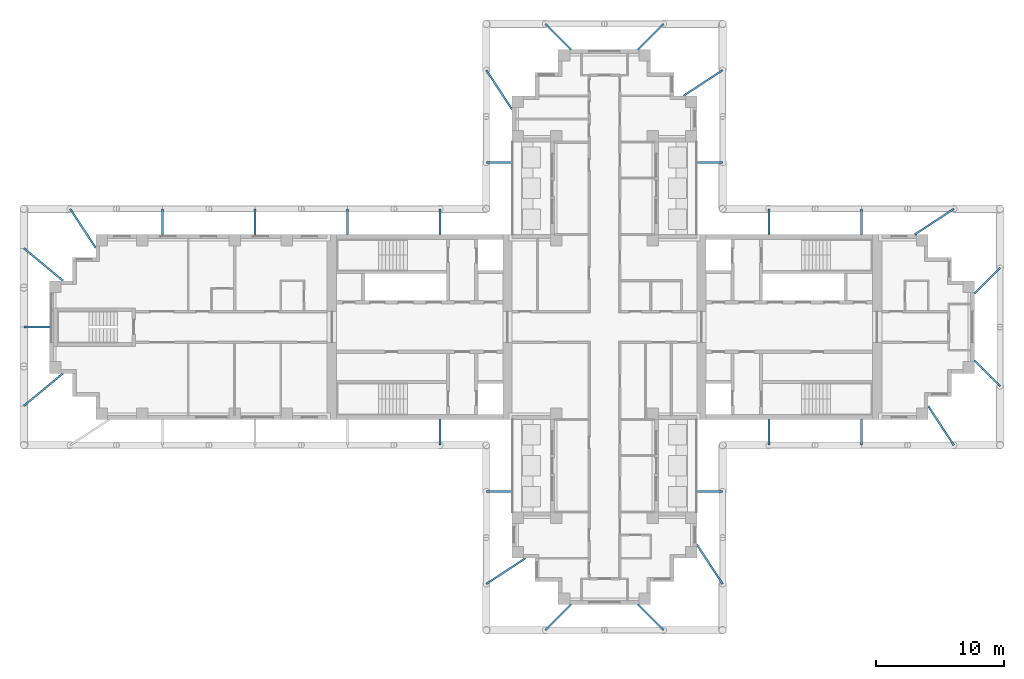
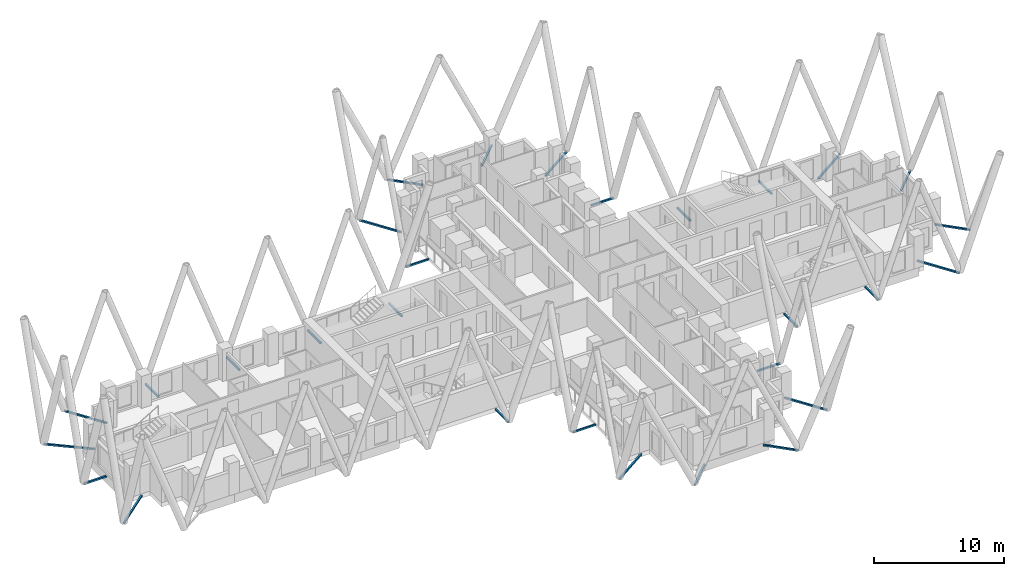
# One storey, part 10 of 12: 29 discrete accessories.
"""IFC4 building model written with IfcOpenShell, lengths in metres."""

from ifc_helpers import new_model, si_unit, direction, frame, origin, origin_2d, place, context, subcontext, project, spatial, hollow_rectangle, extrude, material, element, save


model = new_model("IFC4")

# Units and contexts
model_context = context("Model", 3, precision=1e-05, world=origin(), true_north=direction((0.0, 1.0)))
body_context = subcontext(model_context, "Body", "Model", "MODEL_VIEW")
ifc_project = project(units=[si_unit("LENGTHUNIT", "METRE"), si_unit("AREAUNIT", "SQUARE_METRE"), si_unit("VOLUMEUNIT", "CUBIC_METRE"), si_unit("PLANEANGLEUNIT", "RADIAN"), si_unit("MASSUNIT", "GRAM", prefix="KILO")], contexts=[model_context])

# Site, building, storey
site_placement = place(None, origin())
site = spatial("IfcSite", under=ifc_project, at=site_placement, CompositionType="ELEMENT")
building_placement = place(site_placement, origin())
building = spatial("IfcBuilding", under=site, at=building_placement, Name="Fustian Cross Tower", CompositionType="ELEMENT")
storey_placement = place(building_placement, frame((0.0, 0.0, 188.699951171875)))
storey = spatial("IfcBuildingStorey", under=building, at=storey_placement, Name="L59", CompositionType="ELEMENT", Elevation=188.699951171875)

# Discrete accessories
ifc_material = material(Name="Steel S355", Category="steel")
discrete_accessory_1_placement = place(storey_placement, frame((30.800048828125, 4.60009765625, -0.14990234375), z_axis=(-0.707106781187, -0.707106781187, 0.0), x_axis=(0.707106781187, -0.707106781187, 0.0)))
element("IfcDiscreteAccessory", 1, at=discrete_accessory_1_placement, inside=storey, material=ifc_material, Name="Diagrid node bracket L59-01", PredefinedType="BRACKET", context=body_context, shape_type="SweptSolid", body=[
    extrude(hollow_rectangle(XDim=0.14990234375, YDim=0.14990234375, WallThickness=0.010009765625, at=origin_2d()), origin(), (0.0, 0.0, 1.0), 2.828369140625),
])
discrete_accessory_2_placement = place(storey_placement, frame((27.199951171875, 9.199951171875, -0.14990234375), z_axis=(-0.836248392914, -0.548350823241, 0.0), x_axis=(0.548350823241, -0.836248392914, 0.0)))
element("IfcDiscreteAccessory", 2, at=discrete_accessory_2_placement, inside=storey, material=ifc_material, Name="Diagrid node bracket L59-02", PredefinedType="BRACKET", context=body_context, shape_type="SweptSolid", body=[
    extrude(hollow_rectangle(XDim=0.14990234375, YDim=0.14990234375, WallThickness=0.010009765625, at=origin_2d()), origin(), (0.0, 0.0, 1.0), 3.647216796875),
])
for number, where, z_axis, x_axis, name in (
    (3, (20.0, 9.199951171875, -0.14990234375), (0.0, -1.0, 0.0), (1.0, 0.0, 0.0), "Diagrid node bracket L59-03"),
    (4, (12.800048828125, 9.199951171875, -0.14990234375), (0.0, -1.0, 0.0), (1.0, 0.0, 0.0), "Diagrid node bracket L59-04"),
    (5, (9.199951171875, 12.800048828125, -0.14990234375), (-1.0, 0.0, 0.0), (0.0, -1.0, 0.0), "Diagrid node bracket L59-05"),
):
    element("IfcDiscreteAccessory", number, at=place(storey_placement, frame(where, z_axis=z_axis, x_axis=x_axis)), inside=storey, material=ifc_material, Name=name, PredefinedType="BRACKET", context=body_context, shape_type="SweptSolid", body=[
        extrude(hollow_rectangle(XDim=0.14990234375, YDim=0.14990234375, WallThickness=0.010009765625, at=origin_2d()), origin(), (0.0, 0.0, 1.0), 2.0),
    ])
discrete_accessory_3_placement = place(storey_placement, frame((9.199951171875, 20.0, -0.14990234375), z_axis=(-0.836248392914, -0.548350823241, 0.0), x_axis=(0.548350823241, -0.836248392914, 0.0)))
element("IfcDiscreteAccessory", 6, at=discrete_accessory_3_placement, inside=storey, material=ifc_material, Name="Diagrid node bracket L59-06", PredefinedType="BRACKET", context=body_context, shape_type="SweptSolid", body=[
    extrude(hollow_rectangle(XDim=0.14990234375, YDim=0.14990234375, WallThickness=0.010009765625, at=origin_2d()), origin(), (0.0, 0.0, 1.0), 3.647216796875),
])
for number, where, z_axis, x_axis, name in (
    (7, (4.60009765625, 23.60009765625, -0.14990234375), (-0.707106781187, -0.707106781187, 0.0), (0.707106781187, -0.707106781187, 0.0), "Diagrid node bracket L59-07"),
    (8, (-4.60009765625, 23.60009765625, -0.14990234375), (0.707106781187, -0.707106781187, 0.0), (0.707106781187, 0.707106781187, 0.0), "Diagrid node bracket L59-08"),
):
    element("IfcDiscreteAccessory", number, at=place(storey_placement, frame(where, z_axis=z_axis, x_axis=x_axis)), inside=storey, material=ifc_material, Name=name, PredefinedType="BRACKET", context=body_context, shape_type="SweptSolid", body=[
        extrude(hollow_rectangle(XDim=0.14990234375, YDim=0.14990234375, WallThickness=0.010009765625, at=origin_2d()), origin(), (0.0, 0.0, 1.0), 2.828369140625),
    ])
discrete_accessory_4_placement = place(storey_placement, frame((-9.199951171875, 20.0, -0.14990234375), z_axis=(0.548350823241, -0.836248392914, 0.0), x_axis=(0.836248392914, 0.548350823241, 0.0)))
element("IfcDiscreteAccessory", 9, at=discrete_accessory_4_placement, inside=storey, material=ifc_material, Name="Diagrid node bracket L59-09", PredefinedType="BRACKET", context=body_context, shape_type="SweptSolid", body=[
    extrude(hollow_rectangle(XDim=0.14990234375, YDim=0.14990234375, WallThickness=0.010009765625, at=origin_2d()), origin(), (0.0, 0.0, 1.0), 3.647216796875),
])
for number, where, z_axis, x_axis, name in (
    (10, (-9.199951171875, 12.800048828125, -0.14990234375), (1.0, 0.0, 0.0), (0.0, 1.0, 0.0), "Diagrid node bracket L59-10"),
    (11, (-12.800048828125, 9.199951171875, -0.14990234375), (0.0, -1.0, 0.0), (1.0, 0.0, 0.0), "Diagrid node bracket L59-11"),
    (12, (-20.0, 9.199951171875, -0.14990234375), (0.0, -1.0, 0.0), (1.0, 0.0, 0.0), "Diagrid node bracket L59-12"),
    (13, (-27.199951171875, 9.199951171875, -0.14990234375), (0.0, -1.0, 0.0), (1.0, 0.0, 0.0), "Diagrid node bracket L59-13"),
    (14, (-34.39990234375, 9.199951171875, -0.14990234375), (0.0, -1.0, 0.0), (1.0, 0.0, 0.0), "Diagrid node bracket L59-14"),
):
    element("IfcDiscreteAccessory", number, at=place(storey_placement, frame(where, z_axis=z_axis, x_axis=x_axis)), inside=storey, material=ifc_material, Name=name, PredefinedType="BRACKET", context=body_context, shape_type="SweptSolid", body=[
        extrude(hollow_rectangle(XDim=0.14990234375, YDim=0.14990234375, WallThickness=0.010009765625, at=origin_2d()), origin(), (0.0, 0.0, 1.0), 2.0),
    ])
discrete_accessory_5_placement = place(storey_placement, frame((-41.60009765625, 9.199951171875, -0.14990234375), z_axis=(0.548350823241, -0.836248392914, 0.0), x_axis=(0.836248392914, 0.548350823241, 0.0)))
element("IfcDiscreteAccessory", 15, at=discrete_accessory_5_placement, inside=storey, material=ifc_material, Name="Diagrid node bracket L59-15", PredefinedType="BRACKET", context=body_context, shape_type="SweptSolid", body=[
    extrude(hollow_rectangle(XDim=0.14990234375, YDim=0.14990234375, WallThickness=0.010009765625, at=origin_2d()), origin(), (0.0, 0.0, 1.0), 3.647216796875),
])
discrete_accessory_6_placement = place(storey_placement, frame((-45.199951171875, 6.13330078125, -0.14990234375), z_axis=(0.769275112648, -0.638917679408, 0.0), x_axis=(0.638917679408, 0.769275112648, 0.0)))
element("IfcDiscreteAccessory", 16, at=discrete_accessory_6_placement, inside=storey, material=ifc_material, Name="Diagrid node bracket L59-16", PredefinedType="BRACKET", context=body_context, shape_type="SweptSolid", body=[
    extrude(hollow_rectangle(XDim=0.14990234375, YDim=0.14990234375, WallThickness=0.010009765625, at=origin_2d()), origin(), (0.0, 0.0, 1.0), 3.96484375),
])
discrete_accessory_7_placement = place(storey_placement, frame((-45.199951171875, 0.0, -0.14990234375), z_axis=(1.0, 0.0, 0.0), x_axis=(0.0, 1.0, 0.0)))
element("IfcDiscreteAccessory", 17, at=discrete_accessory_7_placement, inside=storey, material=ifc_material, Name="Diagrid node bracket L59-17", PredefinedType="BRACKET", context=body_context, shape_type="SweptSolid", body=[
    extrude(hollow_rectangle(XDim=0.14990234375, YDim=0.14990234375, WallThickness=0.010009765625, at=origin_2d()), origin(), (0.0, 0.0, 1.0), 2.0),
])
discrete_accessory_8_placement = place(storey_placement, frame((-45.199951171875, -6.13330078125, -0.14990234375), z_axis=(0.769275112648, 0.638917679408, 0.0), x_axis=(-0.638917679408, 0.769275112648, 0.0)))
element("IfcDiscreteAccessory", 18, at=discrete_accessory_8_placement, inside=storey, material=ifc_material, Name="Diagrid node bracket L59-18", PredefinedType="BRACKET", context=body_context, shape_type="SweptSolid", body=[
    extrude(hollow_rectangle(XDim=0.14990234375, YDim=0.14990234375, WallThickness=0.010009765625, at=origin_2d()), origin(), (0.0, 0.0, 1.0), 3.96484375),
])
for number, where, z_axis, x_axis, name in (
    (19, (-12.800048828125, -9.199951171875, -0.14990234375), (0.0, 1.0, 0.0), (-1.0, 0.0, 0.0), "Diagrid node bracket L59-23"),
    (20, (-9.199951171875, -12.800048828125, -0.14990234375), (1.0, 0.0, 0.0), (0.0, 1.0, 0.0), "Diagrid node bracket L59-24"),
):
    element("IfcDiscreteAccessory", number, at=place(storey_placement, frame(where, z_axis=z_axis, x_axis=x_axis)), inside=storey, material=ifc_material, Name=name, PredefinedType="BRACKET", context=body_context, shape_type="SweptSolid", body=[
        extrude(hollow_rectangle(XDim=0.14990234375, YDim=0.14990234375, WallThickness=0.010009765625, at=origin_2d()), origin(), (0.0, 0.0, 1.0), 2.0),
    ])
discrete_accessory_9_placement = place(storey_placement, frame((-9.199951171875, -20.0, -0.14990234375), z_axis=(0.836248392914, 0.548350823241, 0.0), x_axis=(-0.548350823241, 0.836248392914, 0.0)))
element("IfcDiscreteAccessory", 21, at=discrete_accessory_9_placement, inside=storey, material=ifc_material, Name="Diagrid node bracket L59-25", PredefinedType="BRACKET", context=body_context, shape_type="SweptSolid", body=[
    extrude(hollow_rectangle(XDim=0.14990234375, YDim=0.14990234375, WallThickness=0.010009765625, at=origin_2d()), origin(), (0.0, 0.0, 1.0), 3.647216796875),
])
for number, where, z_axis, x_axis, name in (
    (22, (-4.60009765625, -23.60009765625, -0.14990234375), (0.707106781187, 0.707106781187, 0.0), (-0.707106781187, 0.707106781187, 0.0), "Diagrid node bracket L59-26"),
    (23, (4.60009765625, -23.60009765625, -0.14990234375), (-0.707106781187, 0.707106781187, 0.0), (-0.707106781187, -0.707106781187, 0.0), "Diagrid node bracket L59-27"),
):
    element("IfcDiscreteAccessory", number, at=place(storey_placement, frame(where, z_axis=z_axis, x_axis=x_axis)), inside=storey, material=ifc_material, Name=name, PredefinedType="BRACKET", context=body_context, shape_type="SweptSolid", body=[
        extrude(hollow_rectangle(XDim=0.14990234375, YDim=0.14990234375, WallThickness=0.010009765625, at=origin_2d()), origin(), (0.0, 0.0, 1.0), 2.828369140625),
    ])
discrete_accessory_10_placement = place(storey_placement, frame((9.199951171875, -20.0, -0.14990234375), z_axis=(-0.548350823241, 0.836248392914, 0.0), x_axis=(-0.836248392914, -0.548350823241, 0.0)))
element("IfcDiscreteAccessory", 24, at=discrete_accessory_10_placement, inside=storey, material=ifc_material, Name="Diagrid node bracket L59-28", PredefinedType="BRACKET", context=body_context, shape_type="SweptSolid", body=[
    extrude(hollow_rectangle(XDim=0.14990234375, YDim=0.14990234375, WallThickness=0.010009765625, at=origin_2d()), origin(), (0.0, 0.0, 1.0), 3.647216796875),
])
for number, where, z_axis, x_axis, name in (
    (25, (9.199951171875, -12.800048828125, -0.14990234375), (-1.0, 0.0, 0.0), (0.0, -1.0, 0.0), "Diagrid node bracket L59-29"),
    (26, (12.800048828125, -9.199951171875, -0.14990234375), (0.0, 1.0, 0.0), (-1.0, 0.0, 0.0), "Diagrid node bracket L59-30"),
    (27, (20.0, -9.199951171875, -0.14990234375), (0.0, 1.0, 0.0), (-1.0, 0.0, 0.0), "Diagrid node bracket L59-31"),
):
    element("IfcDiscreteAccessory", number, at=place(storey_placement, frame(where, z_axis=z_axis, x_axis=x_axis)), inside=storey, material=ifc_material, Name=name, PredefinedType="BRACKET", context=body_context, shape_type="SweptSolid", body=[
        extrude(hollow_rectangle(XDim=0.14990234375, YDim=0.14990234375, WallThickness=0.010009765625, at=origin_2d()), origin(), (0.0, 0.0, 1.0), 2.0),
    ])
discrete_accessory_11_placement = place(storey_placement, frame((27.199951171875, -9.199951171875, -0.14990234375), z_axis=(-0.548350823241, 0.836248392914, 0.0), x_axis=(-0.836248392914, -0.548350823241, 0.0)))
element("IfcDiscreteAccessory", 28, at=discrete_accessory_11_placement, inside=storey, material=ifc_material, Name="Diagrid node bracket L59-32", PredefinedType="BRACKET", context=body_context, shape_type="SweptSolid", body=[
    extrude(hollow_rectangle(XDim=0.14990234375, YDim=0.14990234375, WallThickness=0.010009765625, at=origin_2d()), origin(), (0.0, 0.0, 1.0), 3.647216796875),
])
discrete_accessory_12_placement = place(storey_placement, frame((30.800048828125, -4.60009765625, -0.14990234375), z_axis=(-0.707106781187, 0.707106781187, 0.0), x_axis=(-0.707106781187, -0.707106781187, 0.0)))
element("IfcDiscreteAccessory", 29, at=discrete_accessory_12_placement, inside=storey, material=ifc_material, Name="Diagrid node bracket L59-33", PredefinedType="BRACKET", context=body_context, shape_type="SweptSolid", body=[
    extrude(hollow_rectangle(XDim=0.14990234375, YDim=0.14990234375, WallThickness=0.010009765625, at=origin_2d()), origin(), (0.0, 0.0, 1.0), 2.828369140625),
])

save(model, "model.ifc")
